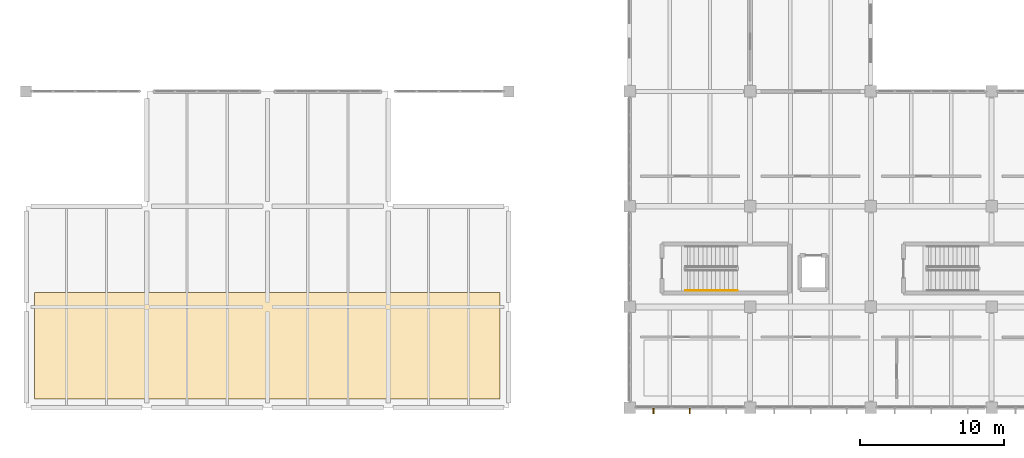
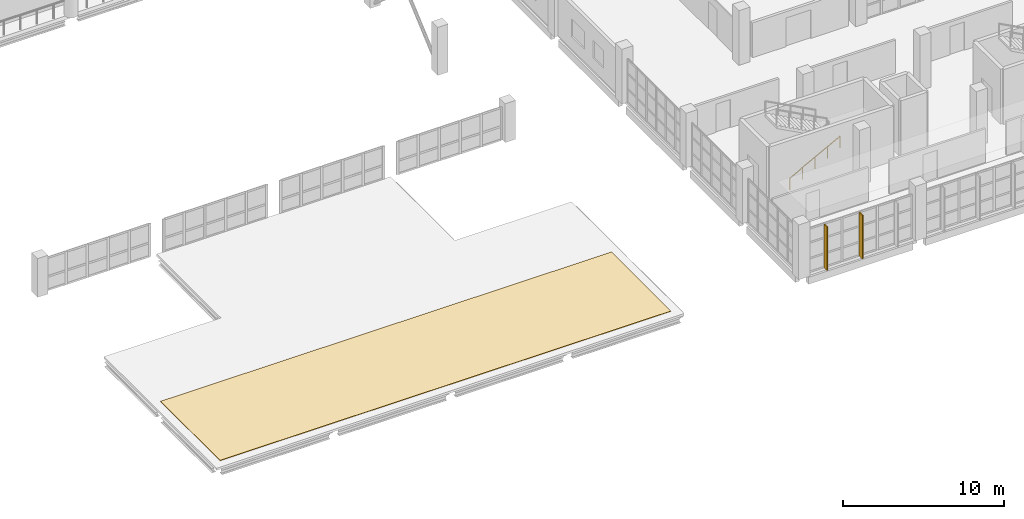
# One storey, part 158 of 177: 2 shading devices, 1 covering, 1 railing.
"""IFC4 building model written with IfcOpenShell, lengths in metres."""

import ifcopenshell
import ifcopenshell.guid

model = None  # the IFC model being written
_history = None  # IfcOwnerHistory: only IFC2X3 demands one
_inside = {}  # id of a spatial element -> (the spatial element, [elements in it])
_under = {}  # id of a project, library or spatial element -> (it, [spatial elements below it])
_declared = {}  # id of a project -> (the project, [libraries it declares])
_typed = {}  # id of a type object -> (the type object, [elements of that type])
_made_of = {}  # id of a material, layer set ... -> (it, [elements and type objects made of it])


def new_model(schema):
    """Start an empty IFC model of exactly this schema.

    Asked for "IFC4X3", IfcOpenShell would pick the latest addendum, in which some entities
    have other attributes; the version numbers below select the first issue.
    IFC2X3 requires an IfcOwnerHistory on every rooted entity: one is made here for all.
    """
    global model, _history
    if schema == "IFC4X3":
        model = ifcopenshell.file(schema_version=(4, 3, 0, 0))
    else:
        model = ifcopenshell.file(schema=schema)
    _inside.clear()
    _under.clear()
    _declared.clear()
    _typed.clear()
    _made_of.clear()
    _history = None
    if model.schema == "IFC2X3":
        org = make("IfcOrganization", Name="unknown")
        user = make(
            "IfcPersonAndOrganization",
            ThePerson=make("IfcPerson", FamilyName="unknown"),
            TheOrganization=org,
        )
        app = make(
            "IfcApplication",
            ApplicationDeveloper=org,
            Version="unknown",
            ApplicationFullName="unknown",
            ApplicationIdentifier="unknown",
        )
        _history = make(
            "IfcOwnerHistory",
            OwningUser=user,
            OwningApplication=app,
            ChangeAction="ADDED",
            CreationDate=0,
        )
    return model


def make(cls, **values):
    """One entity of the class cls with the attributes given. An attribute that is None is left unset."""
    return model.create_entity(
        cls, **{name: value for name, value in values.items() if value is not None}
    )


def rooted(cls, **values):
    """An entity with a GlobalId (a new one), such as an element, a storey or a relation."""
    return make(cls, GlobalId=ifcopenshell.guid.new(), OwnerHistory=_history, **values)


def si_unit(unit_type, name, prefix=None):
    """IfcSIUnit, for example si_unit("LENGTHUNIT", "METRE", prefix="MILLI")."""
    return make("IfcSIUnit", UnitType=unit_type, Prefix=prefix, Name=name)


def assignment(units):
    """IfcUnitAssignment: the units of a project."""
    return None if units is None else make("IfcUnitAssignment", Units=units)


def point(xyz):
    """IfcCartesianPoint."""
    return None if xyz is None else make("IfcCartesianPoint", Coordinates=xyz)


def direction(xyz):
    """IfcDirection."""
    return None if xyz is None else make("IfcDirection", DirectionRatios=xyz)


def frame(location, z_axis=None, x_axis=None):
    """IfcAxis2Placement3D, a coordinate frame: its origin and axes. An axis left out is left unset."""
    return make(
        "IfcAxis2Placement3D",
        Location=point(location),
        Axis=direction(z_axis),
        RefDirection=direction(x_axis),
    )


def frame_2d(location, x_axis=None):
    """IfcAxis2Placement2D, a coordinate frame in the plane: its origin and x axis."""
    return make(
        "IfcAxis2Placement2D", Location=point(location), RefDirection=direction(x_axis)
    )


def origin():
    """The frame at (0, 0, 0) with its axes left unset."""
    return frame((0.0, 0.0, 0.0))


def origin_2d():
    """The frame at (0, 0) in the plane with its x axis left unset."""
    return frame_2d((0.0, 0.0))


def place(relative_to, where):
    """IfcLocalPlacement: puts the frame where relative to a parent placement (None: the world)."""
    return make(
        "IfcLocalPlacement", PlacementRelTo=relative_to, RelativePlacement=where
    )


def context(
    kind, dimensions, precision=None, world=None, true_north=None, identifier=None
):
    """IfcGeometricRepresentationContext, for example the 3D "Model" context."""
    return make(
        "IfcGeometricRepresentationContext",
        ContextIdentifier=identifier,
        ContextType=kind,
        CoordinateSpaceDimension=dimensions,
        Precision=precision,
        WorldCoordinateSystem=world,
        TrueNorth=true_north,
    )


def subcontext(parent, identifier, kind, view, scale=None):
    """IfcGeometricRepresentationSubContext, for example "Body" below "Model"."""
    return make(
        "IfcGeometricRepresentationSubContext",
        ContextIdentifier=identifier,
        ContextType=kind,
        ParentContext=parent,
        TargetScale=scale,
        TargetView=view,
    )


def project(units=None, contexts=None):
    """IfcProject with its units and contexts."""
    return rooted(
        "IfcProject",
        Name="project",
        RepresentationContexts=contexts,
        UnitsInContext=assignment(units),
    )


def spatial(cls, under=None, at=None, **own):
    """A site, building, storey or space (cls), placed at a placement, below another one or the project."""
    s = rooted(cls, ObjectPlacement=at, **own)
    if under is not None:
        _under.setdefault(under.id(), (under, []))[1].append(s)
    return s


def polyline(points):
    """IfcPolyline through the points."""
    return make("IfcPolyline", Points=[point(p) for p in points])


def profile(cls, at=None, kind="AREA", **sizes):
    """A parametric profile (cls). Its sizes go by their IFC names, for example OverallWidth=200.0."""
    return make(cls, ProfileType=kind, Position=at, **sizes)


def rectangle(**sizes):
    """IfcRectangleProfileDef."""
    return profile("IfcRectangleProfileDef", **sizes)


def circle(**sizes):
    """IfcCircleProfileDef."""
    return profile("IfcCircleProfileDef", **sizes)


def outline(outer, holes=None, kind="AREA"):
    """IfcArbitraryClosedProfileDef: a profile drawn as a closed curve; with holes, ...WithVoids."""
    if holes is None:
        return make("IfcArbitraryClosedProfileDef", ProfileType=kind, OuterCurve=outer)
    return make(
        "IfcArbitraryProfileDefWithVoids",
        ProfileType=kind,
        OuterCurve=outer,
        InnerCurves=holes,
    )


def extrude(swept, where, along, depth):
    """IfcExtrudedAreaSolid: the profile swept, set in the frame where, extruded along a direction by depth."""
    return make(
        "IfcExtrudedAreaSolid",
        SweptArea=swept,
        Position=where,
        ExtrudedDirection=direction(along),
        Depth=depth,
    )


def shape(context_of_items, identifier, shape_type, items):
    """IfcShapeRepresentation: the items that make up one representation, for example the "Body"."""
    return make(
        "IfcShapeRepresentation",
        ContextOfItems=context_of_items,
        RepresentationIdentifier=identifier,
        RepresentationType=shape_type,
        Items=items,
    )


def material(Name=None, Category=None):
    """IfcMaterial."""
    return make("IfcMaterial", Name=Name, Category=Category)


def layer(
    of_material, thickness, ventilated=None, Name=None, Category=None, Priority=None
):
    """IfcMaterialLayer: one layer of a wall or slab, of a material (None: an air gap)."""
    return make(
        "IfcMaterialLayer",
        Material=of_material,
        LayerThickness=thickness,
        IsVentilated=ventilated,
        Name=Name,
        Category=Category,
        Priority=Priority,
    )


def layer_set(layers, Name=None):
    """IfcMaterialLayerSet."""
    return make("IfcMaterialLayerSet", MaterialLayers=layers, LayerSetName=Name)


def made_of(thing, what):
    """Note that an element or type object is made of a material, layer set ...; save() writes the relation."""
    if what is not None:
        _made_of.setdefault(what.id(), (what, []))[1].append(thing)
    return thing


def type_object(cls, material=None, **own):
    """A type object (cls), such as IfcWallType, which elements share."""
    return made_of(rooted(cls, **own), material)


def element(
    cls,
    number,
    at=None,
    inside=None,
    cuts=None,
    type_object=None,
    material=None,
    context=None,
    identifier="Body",
    shape_type=None,
    held_by="IfcProductDefinitionShape",
    body=None,
    shapes=None,
    **own,
):
    """One element of the class cls, such as IfcWall. Its Tag is "e" and its number.

    at: its placement. inside: the storey or other place that contains it. cuts: it is an
    opening in that element (IfcRelVoidsElement). A single representation is given by context,
    identifier, shape_type and body (its items); several are given by shapes. held_by: the class
    of the entity that holds the representations. save() writes the other relations.
    """
    e = rooted(cls, Tag="e%d" % number, ObjectPlacement=at, **own)
    if body is not None:
        shapes = [shape(context, identifier, shape_type, body)]
    if shapes is not None:
        e.Representation = make(held_by, Representations=shapes)
    if inside is not None:
        _inside.setdefault(inside.id(), (inside, []))[1].append(e)
    if cuts is not None:
        rooted(
            "IfcRelVoidsElement", RelatingBuildingElement=cuts, RelatedOpeningElement=e
        )
    if type_object is not None:
        _typed.setdefault(type_object.id(), (type_object, []))[1].append(e)
    return made_of(e, material)


def aggregate(whole, parts):
    """IfcRelAggregates: a whole, such as a stair, and the parts it consists of."""
    return rooted("IfcRelAggregates", RelatingObject=whole, RelatedObjects=parts)


def save(model, path):
    """Write the relations noted so far, then the file.

    IfcRelAggregates (storeys below a building ...), IfcRelContainedInSpatialStructure (elements
    in a storey), IfcRelDefinesByType, IfcRelAssociatesMaterial and IfcRelDeclares: one each for
    every whole, place, type object, material and project.
    """
    for whole, parts in _under.values():
        aggregate(whole, parts)
    for where, things in _inside.values():
        rooted(
            "IfcRelContainedInSpatialStructure",
            RelatedElements=things,
            RelatingStructure=where,
        )
    for kind, things in _typed.values():
        rooted("IfcRelDefinesByType", RelatedObjects=things, RelatingType=kind)
    for what, things in _made_of.values():
        rooted("IfcRelAssociatesMaterial", RelatedObjects=things, RelatingMaterial=what)
    for by, libraries in _declared.values():
        rooted("IfcRelDeclares", RelatingContext=by, RelatedDefinitions=libraries)
    model.write(path)


model = new_model("IFC4")

# Units and contexts
model_context = context("Model", 3, precision=1e-05, world=origin(), true_north=direction((0.0, 1.0)))
body_context = subcontext(model_context, "Body", "Model", "MODEL_VIEW")
ifc_project = project(units=[si_unit("LENGTHUNIT", "METRE"), si_unit("AREAUNIT", "SQUARE_METRE"), si_unit("VOLUMEUNIT", "CUBIC_METRE"), si_unit("PLANEANGLEUNIT", "RADIAN"), si_unit("MASSUNIT", "GRAM", prefix="KILO"), si_unit("THERMODYNAMICTEMPERATUREUNIT", "KELVIN"), si_unit("POWERUNIT", "WATT")], contexts=[model_context])

# Site, building, storey
site_placement = place(None, origin())
site = spatial("IfcSite", under=ifc_project, at=site_placement, CompositionType="ELEMENT")
building_placement = place(site_placement, origin())
building = spatial("IfcBuilding", under=site, at=building_placement, Name="Mavoryth Pier Ferry Terminal", CompositionType="ELEMENT")
storey_placement = place(building_placement, frame((0.0, 0.0, 5.43994140625)))
storey = spatial("IfcBuildingStorey", under=building, at=storey_placement, Name="L01", CompositionType="ELEMENT", Elevation=5.43994140625)

# Shading devices
ifc_material_1 = material(Name="Anodised Aluminium Solar-Shading Fin", Category="aluminium")
shading_device_type = type_object("IfcShadingDeviceType", Name="Fin-BriseSoleil-400x75x3300", PredefinedType="SHUTTER", material=ifc_material_1)
for number, where, z_axis, x_axis, name in (
    (1, (43.666748046875, -0.22412109375, 0.0), (0.0, 0.0, 1.0), (1.0, 0.0, 0.0), "Solar Shading Fin 82"),
    (2, (46.199951171875, -0.22412109375, 0.0), (0.0, 0.0, 1.0), (1.0, 0.0, 0.0), "Solar Shading Fin 83"),
):
    element("IfcShadingDevice", number, at=place(storey_placement, frame(where, z_axis=z_axis, x_axis=x_axis)), inside=storey, type_object=shading_device_type, Name=name, PredefinedType="SHUTTER", context=body_context, shape_type="SweptSolid", body=[
        extrude(rectangle(XDim=0.074951171875, YDim=0.39990234375, at=origin_2d()), origin(), (0.0, 0.0, 1.0), 3.300048828125),
    ])

# Railing
ifc_material_2 = material(Name="Brushed Stainless Steel Tubular Handrail", Category="steel")
railing_type = type_object("IfcRailingType", Name="Handrail-Stair-SS900", PredefinedType="HANDRAIL", material=ifc_material_2)
railing_placement = place(storey_placement, frame((45.89990234375, 8.14990234375, 0.16015625)))
element("IfcRailing", 3, at=railing_placement, inside=storey, type_object=railing_type, Name="L01 ST11 stair handrail 1", PredefinedType="HANDRAIL", context=body_context, shape_type="SweptSolid", body=[
    extrude(circle(Radius=0.02392578125, at=origin_2d()), frame((0.0, 0.0, 0.8759765625), z_axis=(0.882366192074, 0.0, 0.470563389019), x_axis=(0.0, 1.0, 0.0)), (0.0, 0.0, 1.0), 4.080078125),
    extrude(circle(Radius=0.02099609375, at=origin_2d()), origin(), (0.0, 0.0, 1.0), 0.851806640625),
    extrude(circle(Radius=0.02099609375, at=origin_2d()), frame((0.89990234375, 0.0, 0.47998046875)), (0.0, 0.0, 1.0), 0.851806640625),
    extrude(circle(Radius=0.02099609375, at=origin_2d()), frame((1.800048828125, 0.0, 0.9599609375)), (0.0, 0.0, 1.0), 0.851806640625),
    extrude(circle(Radius=0.02099609375, at=origin_2d()), frame((2.7001953125, 0.0, 1.43994140625)), (0.0, 0.0, 1.0), 0.851806640625),
    extrude(circle(Radius=0.02099609375, at=origin_2d()), frame((3.60009765625, 0.0, 1.919921875)), (0.0, 0.0, 1.0), 0.851806640625),
])

# Covering
ifc_material_3 = material(Name="Pre-Weathered Titanium-Zinc Standing-Seam Roofing")
ifc_layer = layer(ifc_material_3, 0.034912109375, Name="Pre-Weathered Titanium-Zinc Standing-Seam Roofing")
ifc_layer_set = layer_set([ifc_layer], Name="Pre-Weathered Titanium-Zinc Standing-Seam Roofing - Roof-ZincStandingSeam-35")
covering_type = type_object("IfcCoveringType", Name="Roof-ZincStandingSeam-35", PredefinedType="ROOFING", material=ifc_layer_set)
covering_placement = place(storey_placement, origin())
element("IfcCovering", 4, at=covering_placement, inside=storey, type_object=covering_type, Name="Covering COV-L01-021", PredefinedType="ROOFING", context=body_context, shape_type="SweptSolid", body=[
    extrude(outline(polyline([(0.60009765625, 0.60009765625), (33.0, 0.60009765625), (33.0, 8.0), (0.60009765625, 8.0), (0.60009765625, 0.60009765625)])), origin(), (0.0, 0.0, 1.0), 0.03515625),
])

save(model, "model.ifc")
